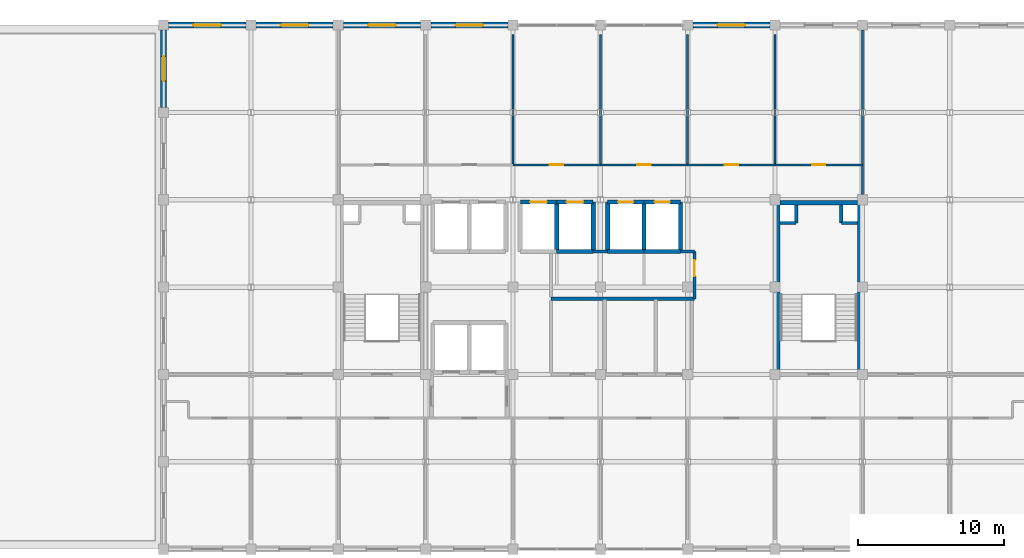
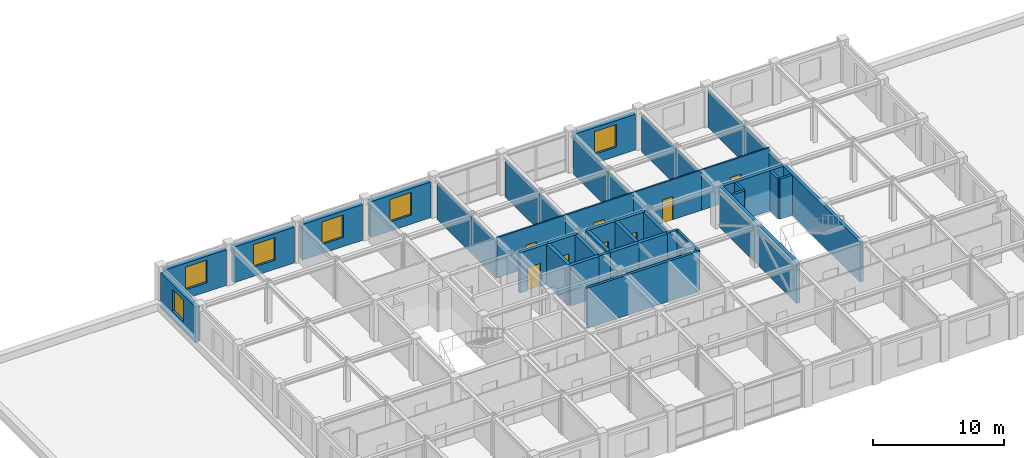
# One storey, part 10 of 13: 38 walls, 9 doors, 6 windows, 15 openings.
"""IFC4 building model written with IfcOpenShell, lengths in metres."""

from ifc_helpers import new_model, si_unit, direction, frame, frame_2d, origin, place, context, subcontext, project, spatial, rectangle, extrude, material, layer, layer_set, type_object, element, fill, save


model = new_model("IFC4")

# Units and contexts
model_context = context("Model", 3, precision=1e-05, world=origin(), true_north=direction((0.0, 1.0)))
body_context = subcontext(model_context, "Body", "Model", "MODEL_VIEW")
ifc_project = project(units=[si_unit("LENGTHUNIT", "METRE"), si_unit("AREAUNIT", "SQUARE_METRE"), si_unit("VOLUMEUNIT", "CUBIC_METRE"), si_unit("PLANEANGLEUNIT", "RADIAN"), si_unit("MASSUNIT", "GRAM", prefix="KILO")], contexts=[model_context])

# Site, building, storey
site_placement = place(None, origin())
site = spatial("IfcSite", under=ifc_project, at=site_placement, CompositionType="ELEMENT")
building_placement = place(site_placement, origin())
building = spatial("IfcBuilding", under=site, at=building_placement, Name="Zlatovratsky Civic Hall", CompositionType="ELEMENT")
storey_placement = place(building_placement, frame((0.0, 0.0, 24.89990234375)))
storey = spatial("IfcBuildingStorey", under=building, at=storey_placement, Name="L06", CompositionType="ELEMENT", Elevation=24.89990234375)

# Wall, opening, door
ifc_material_1 = material(Name="Fire-rated gypsum board framing", Category="gypsum")
ifc_layer_1 = layer(ifc_material_1, 0.139892578125)
ifc_layer_set_1 = layer_set([ifc_layer_1], Name="Fire-rated gypsum board framing")
wall_type_1 = type_object("IfcWallType", Name="Wall_OfficePartition_140", PredefinedType="PARTITIONING", material=ifc_layer_set_1)
wall_1_placement = place(storey_placement, frame((78.0, 98.39990234375, 0.0), z_axis=(0.0, 0.0, 1.0), x_axis=(1.0, 0.0, 0.0)))
wall_1 = element("IfcWall", 1, at=wall_1_placement, inside=storey, type_object=wall_type_1, Name="WL-6314", PredefinedType="PARTITIONING", context=body_context, shape_type="SweptSolid", body=[
    extrude(rectangle(XDim=6.0, YDim=0.139892578125, at=frame_2d((3.0, 0.0))), origin(), (0.0, 0.0, 1.0), 3.739990234375),
])
opening_1_placement = place(wall_1_placement, frame((2.5400390625, 0.0, 0.0)))
opening_1 = element("IfcOpeningElement", 2, at=opening_1_placement, cuts=wall_1, Name="Opening D-23", PredefinedType="OPENING", context=body_context, shape_type="SweptSolid", body=[
    extrude(rectangle(XDim=0.919921875, YDim=2.14990234375, at=frame_2d((0.4599609375, 1.074951171875))), frame((0.0, 0.0849609375, 0.0), z_axis=(0.0, -1.0, 0.0), x_axis=(1.0, 0.0, 0.0)), (0.0, 0.0, 1.0), 0.169677734375),
])
ifc_material_2 = material(Name="Solid oak joinery in steel frame", Category="steel")
door_type_1 = type_object("IfcDoorType", Name="Door_OfficeStandard_920x2150", OperationType="NOTDEFINED", PredefinedType="DOOR", material=ifc_material_2)
door_1_placement = place(opening_1_placement, origin())
door_1 = element("IfcDoor", 3, at=door_1_placement, inside=storey, type_object=door_type_1, Name="DR-5371", OperationType="SINGLE_SWING_RIGHT", OverallHeight=2.14990234375, OverallWidth=0.919921875, PredefinedType="DOOR", context=body_context, shape_type="SweptSolid", body=[
    extrude(rectangle(XDim=0.919921875, YDim=2.14990234375, at=frame_2d((0.4599609375, 1.074951171875))), frame((0.0, 0.02490234375, 0.0), z_axis=(0.0, -1.0, 0.0), x_axis=(1.0, 0.0, 0.0)), (0.0, 0.0, 1.0), 0.050048828125),
])
fill(opening_1, door_1)

wall_2_placement = place(storey_placement, frame((84.0, 98.39990234375, 0.0), z_axis=(0.0, 0.0, 1.0), x_axis=(1.0, 0.0, 0.0)))
wall_2 = element("IfcWall", 4, at=wall_2_placement, inside=storey, type_object=wall_type_1, Name="WL-6315", PredefinedType="PARTITIONING", context=body_context, shape_type="SweptSolid", body=[
    extrude(rectangle(XDim=6.0, YDim=0.139892578125, at=frame_2d((3.0, 0.0))), origin(), (0.0, 0.0, 1.0), 3.739990234375),
])
opening_2_placement = place(wall_2_placement, frame((2.5400390625, 0.0, 0.0)))
opening_2 = element("IfcOpeningElement", 5, at=opening_2_placement, cuts=wall_2, Name="Opening D-23", PredefinedType="OPENING", context=body_context, shape_type="SweptSolid", body=[
    extrude(rectangle(XDim=0.919921875, YDim=2.14990234375, at=frame_2d((0.4599609375, 1.074951171875))), frame((0.0, 0.0849609375, 0.0), z_axis=(0.0, -1.0, 0.0), x_axis=(1.0, 0.0, 0.0)), (0.0, 0.0, 1.0), 0.169677734375),
])
door_2_placement = place(opening_2_placement, origin())
door_2 = element("IfcDoor", 6, at=door_2_placement, inside=storey, type_object=door_type_1, Name="DR-5372", OperationType="SINGLE_SWING_RIGHT", OverallHeight=2.14990234375, OverallWidth=0.919921875, PredefinedType="DOOR", context=body_context, shape_type="SweptSolid", body=[
    extrude(rectangle(XDim=0.919921875, YDim=2.14990234375, at=frame_2d((0.4599609375, 1.074951171875))), frame((0.0, 0.02490234375, 0.0), z_axis=(0.0, -1.0, 0.0), x_axis=(1.0, 0.0, 0.0)), (0.0, 0.0, 1.0), 0.050048828125),
])
fill(opening_2, door_2)

wall_3_placement = place(storey_placement, frame((90.0, 98.39990234375, 0.0), z_axis=(0.0, 0.0, 1.0), x_axis=(1.0, 0.0, 0.0)))
wall_3 = element("IfcWall", 7, at=wall_3_placement, inside=storey, type_object=wall_type_1, Name="WL-6316", PredefinedType="PARTITIONING", context=body_context, shape_type="SweptSolid", body=[
    extrude(rectangle(XDim=6.0, YDim=0.139892578125, at=frame_2d((3.0, 0.0))), origin(), (0.0, 0.0, 1.0), 3.739990234375),
])
opening_3_placement = place(wall_3_placement, frame((2.5400390625, 0.0, 0.0)))
opening_3 = element("IfcOpeningElement", 8, at=opening_3_placement, cuts=wall_3, Name="Opening D-23", PredefinedType="OPENING", context=body_context, shape_type="SweptSolid", body=[
    extrude(rectangle(XDim=0.919921875, YDim=2.14990234375, at=frame_2d((0.4599609375, 1.074951171875))), frame((0.0, 0.0849609375, 0.0), z_axis=(0.0, -1.0, 0.0), x_axis=(1.0, 0.0, 0.0)), (0.0, 0.0, 1.0), 0.169677734375),
])
door_3_placement = place(opening_3_placement, origin())
door_3 = element("IfcDoor", 9, at=door_3_placement, inside=storey, type_object=door_type_1, Name="DR-5373", OperationType="SINGLE_SWING_RIGHT", OverallHeight=2.14990234375, OverallWidth=0.919921875, PredefinedType="DOOR", context=body_context, shape_type="SweptSolid", body=[
    extrude(rectangle(XDim=0.919921875, YDim=2.14990234375, at=frame_2d((0.4599609375, 1.074951171875))), frame((0.0, 0.02490234375, 0.0), z_axis=(0.0, -1.0, 0.0), x_axis=(1.0, 0.0, 0.0)), (0.0, 0.0, 1.0), 0.050048828125),
])
fill(opening_3, door_3)

wall_4_placement = place(storey_placement, frame((96.0, 98.39990234375, 0.0), z_axis=(0.0, 0.0, 1.0), x_axis=(1.0, 0.0, 0.0)))
wall_4 = element("IfcWall", 10, at=wall_4_placement, inside=storey, type_object=wall_type_1, Name="WL-6317", PredefinedType="PARTITIONING", context=body_context, shape_type="SweptSolid", body=[
    extrude(rectangle(XDim=6.0, YDim=0.139892578125, at=frame_2d((3.0, 0.0))), origin(), (0.0, 0.0, 1.0), 3.739990234375),
])
opening_4_placement = place(wall_4_placement, frame((2.5400390625, 0.0, 0.0)))
opening_4 = element("IfcOpeningElement", 11, at=opening_4_placement, cuts=wall_4, Name="Opening D-23", PredefinedType="OPENING", context=body_context, shape_type="SweptSolid", body=[
    extrude(rectangle(XDim=0.919921875, YDim=2.14990234375, at=frame_2d((0.4599609375, 1.074951171875))), frame((0.0, 0.0849609375, 0.0), z_axis=(0.0, -1.0, 0.0), x_axis=(1.0, 0.0, 0.0)), (0.0, 0.0, 1.0), 0.169677734375),
])
door_4_placement = place(opening_4_placement, origin())
door_4 = element("IfcDoor", 12, at=door_4_placement, inside=storey, type_object=door_type_1, Name="DR-5374", OperationType="SINGLE_SWING_RIGHT", OverallHeight=2.14990234375, OverallWidth=0.919921875, PredefinedType="DOOR", context=body_context, shape_type="SweptSolid", body=[
    extrude(rectangle(XDim=0.919921875, YDim=2.14990234375, at=frame_2d((0.4599609375, 1.074951171875))), frame((0.0, 0.02490234375, 0.0), z_axis=(0.0, -1.0, 0.0), x_axis=(1.0, 0.0, 0.0)), (0.0, 0.0, 1.0), 0.050048828125),
])
fill(opening_4, door_4)

# Walls
for number, where, z_axis, x_axis, name in (
    (13, (78.0, 98.39990234375, 0.0), (0.0, 0.0, 1.0), (0.0, 1.0, 0.0), "WL-6330"),
    (14, (84.0, 98.39990234375, 0.0), (0.0, 0.0, 1.0), (0.0, 1.0, 0.0), "WL-6331"),
    (15, (90.0, 98.39990234375, 0.0), (0.0, 0.0, 1.0), (0.0, 1.0, 0.0), "WL-6332"),
    (16, (96.0, 98.39990234375, 0.0), (0.0, 0.0, 1.0), (0.0, 1.0, 0.0), "WL-6333"),
):
    element("IfcWall", number, at=place(storey_placement, frame(where, z_axis=z_axis, x_axis=x_axis)), inside=storey, type_object=wall_type_1, Name=name, PredefinedType="PARTITIONING", context=body_context, shape_type="SweptSolid", body=[
        extrude(rectangle(XDim=8.9501953125, YDim=0.139892578125, at=frame_2d((4.47509765625, 0.0))), origin(), (0.0, 0.0, 1.0), 3.35205078125),
    ])
wall_5_placement = place(storey_placement, frame((102.0, 96.35009765625, 0.0), z_axis=(0.0, 0.0, 1.0), x_axis=(0.0, 1.0, 0.0)))
element("IfcWall", 17, at=wall_5_placement, inside=storey, type_object=wall_type_1, Name="WL-6344", PredefinedType="PARTITIONING", context=body_context, shape_type="SweptSolid", body=[
    extrude(rectangle(XDim=11.2998046875, YDim=0.139892578125, at=frame_2d((5.64990234375, 0.0))), origin(), (0.0, 0.0, 1.0), 3.35205078125),
])
ifc_material_3 = material(Name="Acoustic ceramic blockwork", Category="masonry")
ifc_layer_2 = layer(ifc_material_3, 0.219970703125)
ifc_layer_set_2 = layer_set([ifc_layer_2], Name="Acoustic ceramic blockwork")
wall_type_2 = type_object("IfcWallType", Name="Wall_SanitaryWetCore_220", PredefinedType="PARTITIONING", material=ifc_layer_set_2)
wall_6_placement = place(storey_placement, frame((97.449951171875, 94.39990234375, 0.0), z_axis=(0.0, 0.0, 1.0), x_axis=(0.0, 1.0, 0.0)))
element("IfcWall", 18, at=wall_6_placement, inside=storey, type_object=wall_type_2, Name="WL-5211", PredefinedType="PARTITIONING", context=body_context, shape_type="SweptSolid", body=[
    extrude(rectangle(XDim=1.25, YDim=0.219970703125, at=frame_2d((0.625, 0.0))), origin(), (0.0, 0.0, 1.0), 3.739990234375),
])
wall_7_placement = place(storey_placement, frame((96.35009765625, 94.39990234375, 0.0), z_axis=(0.0, 0.0, 1.0), x_axis=(1.0, 0.0, 0.0)))
element("IfcWall", 19, at=wall_7_placement, inside=storey, type_object=wall_type_2, Name="WL-5212", PredefinedType="PARTITIONING", context=body_context, shape_type="SweptSolid", body=[
    extrude(rectangle(XDim=1.099853515625, YDim=0.219970703125, at=frame_2d((0.5498046875, 0.0))), origin(), (0.0, 0.0, 1.0), 3.739990234375),
])
wall_8_placement = place(storey_placement, frame((100.550048828125, 94.39990234375, 0.0), z_axis=(0.0, 0.0, 1.0), x_axis=(0.0, 1.0, 0.0)))
element("IfcWall", 20, at=wall_8_placement, inside=storey, type_object=wall_type_2, Name="WL-5213", PredefinedType="PARTITIONING", context=body_context, shape_type="SweptSolid", body=[
    extrude(rectangle(XDim=1.25, YDim=0.219970703125, at=frame_2d((0.625, 0.0))), origin(), (0.0, 0.0, 1.0), 3.739990234375),
])
wall_9_placement = place(storey_placement, frame((100.550048828125, 94.39990234375, 0.0), z_axis=(0.0, 0.0, 1.0), x_axis=(1.0, 0.0, 0.0)))
element("IfcWall", 21, at=wall_9_placement, inside=storey, type_object=wall_type_2, Name="WL-5214", PredefinedType="PARTITIONING", context=body_context, shape_type="SweptSolid", body=[
    extrude(rectangle(XDim=1.099853515625, YDim=0.219970703125, at=frame_2d((0.5498046875, 0.0))), origin(), (0.0, 0.0, 1.0), 3.739990234375),
])
wall_10_placement = place(storey_placement, frame((80.60009765625, 89.199951171875, 0.0), z_axis=(0.0, 0.0, 1.0), x_axis=(1.0, 0.0, 0.0)))
element("IfcWall", 22, at=wall_10_placement, inside=storey, type_object=wall_type_2, Name="WL-6300", PredefinedType="PARTITIONING", context=body_context, shape_type="SweptSolid", body=[
    extrude(rectangle(XDim=9.869873046875, YDim=0.219970703125, at=frame_2d((4.93505859375, 0.0))), origin(), (0.0, 0.0, 1.0), 3.739990234375),
])

# Wall, opening, door
wall_11_placement = place(storey_placement, frame((90.469970703125, 89.199951171875, 0.0), z_axis=(0.0, 0.0, 1.0), x_axis=(0.0, 1.0, 0.0)))
wall_11 = element("IfcWall", 23, at=wall_11_placement, inside=storey, type_object=wall_type_2, Name="WL-6301", PredefinedType="PARTITIONING", context=body_context, shape_type="SweptSolid", body=[
    extrude(rectangle(XDim=3.25, YDim=0.219970703125, at=frame_2d((1.625, 0.0))), origin(), (0.0, 0.0, 1.0), 3.739990234375),
])
opening_5_placement = place(wall_11_placement, frame((1.550048828125, 0.0, 0.0)))
opening_5 = element("IfcOpeningElement", 24, at=opening_5_placement, cuts=wall_11, Name="Opening D-30", PredefinedType="OPENING", context=body_context, shape_type="SweptSolid", body=[
    extrude(rectangle(XDim=1.10009765625, YDim=2.14990234375, at=frame_2d((0.550048828125, 1.074951171875))), frame((0.0, 0.125, 0.0), z_axis=(0.0, -1.0, 0.0), x_axis=(1.0, 0.0, 0.0)), (0.0, 0.0, 1.0), 0.249755859375),
])
ifc_material_4 = material(Name="Insulated painted fire-rated steel leaf", Category="steel")
door_type_2 = type_object("IfcDoorType", Name="Door_ElectricalRoom_1100x2150", OperationType="NOTDEFINED", PredefinedType="DOOR", material=ifc_material_4)
door_5_placement = place(opening_5_placement, origin())
door_5 = element("IfcDoor", 25, at=door_5_placement, inside=storey, type_object=door_type_2, Name="DR-5358", OperationType="SINGLE_SWING_RIGHT", OverallHeight=2.14990234375, OverallWidth=1.10009765625, PredefinedType="DOOR", context=body_context, shape_type="SweptSolid", body=[
    extrude(rectangle(XDim=1.10009765625, YDim=2.14990234375, at=frame_2d((0.550048828125, 1.074951171875))), frame((0.0, 0.02490234375, 0.0), z_axis=(0.0, -1.0, 0.0), x_axis=(1.0, 0.0, 0.0)), (0.0, 0.0, 1.0), 0.050048828125),
])
fill(opening_5, door_5)

# Walls
wall_12_placement = place(storey_placement, frame((83.5, 92.449951171875, 0.0), z_axis=(0.0, 0.0, 1.0), x_axis=(1.0, 0.0, 0.0)))
element("IfcWall", 26, at=wall_12_placement, inside=storey, type_object=wall_type_2, Name="WL-6337", PredefinedType="PARTITIONING", context=body_context, shape_type="SweptSolid", body=[
    extrude(rectangle(XDim=1.0, YDim=0.219970703125, at=frame_2d((0.5, 0.0))), origin(), (0.0, 0.0, 1.0), 3.739990234375),
])
wall_13_placement = place(storey_placement, frame((89.5, 92.449951171875, 0.0), z_axis=(0.0, 0.0, 1.0), x_axis=(1.0, 0.0, 0.0)))
element("IfcWall", 27, at=wall_13_placement, inside=storey, type_object=wall_type_2, Name="WL-6338", PredefinedType="PARTITIONING", context=body_context, shape_type="SweptSolid", body=[
    extrude(rectangle(XDim=0.969970703125, YDim=0.219970703125, at=frame_2d((0.48486328125, 0.0))), origin(), (0.0, 0.0, 1.0), 3.739990234375),
])
ifc_material_5 = material(Name="Concrete C35/45 (B40)", Category="concrete")
ifc_layer_3 = layer(ifc_material_5, 0.300048828125)
ifc_layer_set_3 = layer_set([ifc_layer_3], Name="Concrete C35/45 (B40)")
wall_type_3 = type_object("IfcWallType", Name="Wall_StairAndLiftShaft_300", PredefinedType="SHEAR", material=ifc_layer_set_3)
wall_14_placement = place(storey_placement, frame((96.35009765625, 95.800048828125, 0.0), z_axis=(0.0, 0.0, 1.0), x_axis=(1.0, 0.0, 0.0)))
element("IfcWall", 28, at=wall_14_placement, inside=storey, type_object=wall_type_3, Name="WL-5208", PredefinedType="SHEAR", context=body_context, shape_type="SweptSolid", body=[
    extrude(rectangle(XDim=5.2998046875, YDim=0.300048828125, at=frame_2d((2.64990234375, 0.0))), origin(), (0.0, 0.0, 1.0), 3.739990234375),
])
for number, where, z_axis, x_axis, name in (
    (29, (96.199951171875, 84.0, 0.0), (0.0, 0.0, 1.0), (0.0, 1.0, 0.0), "WL-5209"),
    (30, (101.800048828125, 84.0, 0.0), (0.0, 0.0, 1.0), (0.0, 1.0, 0.0), "WL-5210"),
):
    element("IfcWall", number, at=place(storey_placement, frame(where, z_axis=z_axis, x_axis=x_axis)), inside=storey, type_object=wall_type_3, Name=name, PredefinedType="SHEAR", context=body_context, shape_type="SweptSolid", body=[
        extrude(rectangle(XDim=11.800048828125, YDim=0.300048828125, at=frame_2d((5.89990234375, 0.0))), origin(), (0.0, 0.0, 1.0), 3.739990234375),
    ])

# Wall, opening, door
wall_15_placement = place(storey_placement, frame((78.5, 95.85009765625, 0.0), z_axis=(0.0, 0.0, 1.0), x_axis=(1.0, 0.0, 0.0)))
wall_15 = element("IfcWall", 31, at=wall_15_placement, inside=storey, type_object=wall_type_3, Name="WL-5777", PredefinedType="SHEAR", context=body_context, shape_type="SweptSolid", body=[
    extrude(rectangle(XDim=2.5, YDim=0.300048828125, at=frame_2d((1.25, 0.0))), origin(), (0.0, 0.0, 1.0), 3.739990234375),
])
opening_6_placement = place(wall_15_placement, frame((0.675048828125, 0.0, 0.0)))
opening_6 = element("IfcOpeningElement", 32, at=opening_6_placement, cuts=wall_15, Name="Opening LD-02", PredefinedType="OPENING", context=body_context, shape_type="SweptSolid", body=[
    extrude(rectangle(XDim=1.14990234375, YDim=2.14990234375, at=frame_2d((0.574951171875, 1.074951171875))), frame((0.0, 0.1650390625, 0.0), z_axis=(0.0, -1.0, 0.0), x_axis=(1.0, 0.0, 0.0)), (0.0, 0.0, 1.0), 0.329833984375),
])
ifc_material_6 = material(Name="Brushed stainless steel AISI 304", Category="steel")
door_type_3 = type_object("IfcDoorType", Name="Door_LiftLandingHighRise_1150x2150", OperationType="DOUBLE_DOOR_SLIDING", PredefinedType="DOOR", material=ifc_material_6)
door_6_placement = place(opening_6_placement, origin())
door_6 = element("IfcDoor", 33, at=door_6_placement, inside=storey, type_object=door_type_3, Name="Lift landing door LD-5141", OperationType="DOUBLE_DOOR_SLIDING", OverallHeight=2.14990234375, OverallWidth=1.14990234375, PredefinedType="DOOR", context=body_context, shape_type="SweptSolid", body=[
    extrude(rectangle(XDim=1.14990234375, YDim=2.14990234375, at=frame_2d((0.574951171875, 1.074951171875))), frame((0.0, 0.02490234375, 0.0), z_axis=(0.0, -1.0, 0.0), x_axis=(1.0, 0.0, 0.0)), (0.0, 0.0, 1.0), 0.050048828125),
])
fill(opening_6, door_6)

wall_16_placement = place(storey_placement, frame((81.0, 95.85009765625, 0.0), z_axis=(0.0, 0.0, 1.0), x_axis=(1.0, 0.0, 0.0)))
wall_16 = element("IfcWall", 34, at=wall_16_placement, inside=storey, type_object=wall_type_3, Name="WL-5840", PredefinedType="SHEAR", context=body_context, shape_type="SweptSolid", body=[
    extrude(rectangle(XDim=2.5, YDim=0.300048828125, at=frame_2d((1.25, 0.0))), origin(), (0.0, 0.0, 1.0), 3.739990234375),
])
opening_7_placement = place(wall_16_placement, frame((0.675048828125, 0.0, 0.0)))
opening_7 = element("IfcOpeningElement", 35, at=opening_7_placement, cuts=wall_16, Name="Opening LD-02", PredefinedType="OPENING", context=body_context, shape_type="SweptSolid", body=[
    extrude(rectangle(XDim=1.14990234375, YDim=2.14990234375, at=frame_2d((0.574951171875, 1.074951171875))), frame((0.0, 0.1650390625, 0.0), z_axis=(0.0, -1.0, 0.0), x_axis=(1.0, 0.0, 0.0)), (0.0, 0.0, 1.0), 0.329833984375),
])
door_7_placement = place(opening_7_placement, origin())
door_7 = element("IfcDoor", 36, at=door_7_placement, inside=storey, type_object=door_type_3, Name="Lift landing door LD-5160", OperationType="DOUBLE_DOOR_SLIDING", OverallHeight=2.14990234375, OverallWidth=1.14990234375, PredefinedType="DOOR", context=body_context, shape_type="SweptSolid", body=[
    extrude(rectangle(XDim=1.14990234375, YDim=2.14990234375, at=frame_2d((0.574951171875, 1.074951171875))), frame((0.0, 0.02490234375, 0.0), z_axis=(0.0, -1.0, 0.0), x_axis=(1.0, 0.0, 0.0)), (0.0, 0.0, 1.0), 0.050048828125),
])
fill(opening_7, door_7)

# Walls
wall_17_placement = place(storey_placement, frame((81.0, 92.449951171875, 0.0), z_axis=(0.0, 0.0, 1.0), x_axis=(1.0, 0.0, 0.0)))
element("IfcWall", 37, at=wall_17_placement, inside=storey, type_object=wall_type_3, Name="WL-5841", PredefinedType="SHEAR", context=body_context, shape_type="SweptSolid", body=[
    extrude(rectangle(XDim=2.5, YDim=0.300048828125, at=frame_2d((1.25, 0.0))), origin(), (0.0, 0.0, 1.0), 3.739990234375),
])
for number, where, z_axis, x_axis, name in (
    (38, (81.0, 92.449951171875, 0.0), (0.0, 0.0, 1.0), (0.0, 1.0, 0.0), "WL-5842"),
    (39, (83.5, 92.449951171875, 0.0), (0.0, 0.0, 1.0), (0.0, 1.0, 0.0), "WL-5843"),
):
    element("IfcWall", number, at=place(storey_placement, frame(where, z_axis=z_axis, x_axis=x_axis)), inside=storey, type_object=wall_type_3, Name=name, PredefinedType="SHEAR", context=body_context, shape_type="SweptSolid", body=[
        extrude(rectangle(XDim=3.400146484375, YDim=0.300048828125, at=frame_2d((1.7001953125, 0.0))), origin(), (0.0, 0.0, 1.0), 3.739990234375),
    ])

# Wall, opening, door
wall_18_placement = place(storey_placement, frame((84.5, 95.85009765625, 0.0), z_axis=(0.0, 0.0, 1.0), x_axis=(1.0, 0.0, 0.0)))
wall_18 = element("IfcWall", 40, at=wall_18_placement, inside=storey, type_object=wall_type_3, Name="WL-5910", PredefinedType="SHEAR", context=body_context, shape_type="SweptSolid", body=[
    extrude(rectangle(XDim=2.5, YDim=0.300048828125, at=frame_2d((1.25, 0.0))), origin(), (0.0, 0.0, 1.0), 3.739990234375),
])
opening_8_placement = place(wall_18_placement, frame((0.72509765625, 0.0, 0.0)))
opening_8 = element("IfcOpeningElement", 41, at=opening_8_placement, cuts=wall_18, Name="Opening LD-03", PredefinedType="OPENING", context=body_context, shape_type="SweptSolid", body=[
    extrude(rectangle(XDim=1.050048828125, YDim=2.10009765625, at=frame_2d((0.52490234375, 1.050048828125))), frame((0.0, 0.1650390625, 0.0), z_axis=(0.0, -1.0, 0.0), x_axis=(1.0, 0.0, 0.0)), (0.0, 0.0, 1.0), 0.329833984375),
])
door_type_4 = type_object("IfcDoorType", Name="Door_LiftLandingMidRise_1050x2100", OperationType="DOUBLE_DOOR_SLIDING", PredefinedType="DOOR", material=ifc_material_6)
door_8_placement = place(opening_8_placement, origin())
door_8 = element("IfcDoor", 42, at=door_8_placement, inside=storey, type_object=door_type_4, Name="Lift landing door LD-5179", OperationType="DOUBLE_DOOR_SLIDING", OverallHeight=2.10009765625, OverallWidth=1.050048828125, PredefinedType="DOOR", context=body_context, shape_type="SweptSolid", body=[
    extrude(rectangle(XDim=1.050048828125, YDim=2.10009765625, at=frame_2d((0.52490234375, 1.050048828125))), frame((0.0, 0.02490234375, 0.0), z_axis=(0.0, -1.0, 0.0), x_axis=(1.0, 0.0, 0.0)), (0.0, 0.0, 1.0), 0.050048828125),
])
fill(opening_8, door_8)

# Walls
wall_19_placement = place(storey_placement, frame((84.5, 92.449951171875, 0.0), z_axis=(0.0, 0.0, 1.0), x_axis=(1.0, 0.0, 0.0)))
element("IfcWall", 43, at=wall_19_placement, inside=storey, type_object=wall_type_3, Name="WL-5911", PredefinedType="SHEAR", context=body_context, shape_type="SweptSolid", body=[
    extrude(rectangle(XDim=2.5, YDim=0.300048828125, at=frame_2d((1.25, 0.0))), origin(), (0.0, 0.0, 1.0), 3.739990234375),
])
wall_20_placement = place(storey_placement, frame((84.5, 92.449951171875, 0.0), z_axis=(0.0, 0.0, 1.0), x_axis=(0.0, 1.0, 0.0)))
element("IfcWall", 44, at=wall_20_placement, inside=storey, type_object=wall_type_3, Name="WL-5912", PredefinedType="SHEAR", context=body_context, shape_type="SweptSolid", body=[
    extrude(rectangle(XDim=3.400146484375, YDim=0.300048828125, at=frame_2d((1.7001953125, 0.0))), origin(), (0.0, 0.0, 1.0), 3.739990234375),
])

# Wall, opening, door
wall_21_placement = place(storey_placement, frame((87.0, 95.85009765625, 0.0), z_axis=(0.0, 0.0, 1.0), x_axis=(1.0, 0.0, 0.0)))
wall_21 = element("IfcWall", 45, at=wall_21_placement, inside=storey, type_object=wall_type_3, Name="WL-5949", PredefinedType="SHEAR", context=body_context, shape_type="SweptSolid", body=[
    extrude(rectangle(XDim=2.5, YDim=0.300048828125, at=frame_2d((1.25, 0.0))), origin(), (0.0, 0.0, 1.0), 3.739990234375),
])
opening_9_placement = place(wall_21_placement, frame((0.72509765625, 0.0, 0.0)))
opening_9 = element("IfcOpeningElement", 46, at=opening_9_placement, cuts=wall_21, Name="Opening LD-03", PredefinedType="OPENING", context=body_context, shape_type="SweptSolid", body=[
    extrude(rectangle(XDim=1.050048828125, YDim=2.10009765625, at=frame_2d((0.52490234375, 1.050048828125))), frame((0.0, 0.1650390625, 0.0), z_axis=(0.0, -1.0, 0.0), x_axis=(1.0, 0.0, 0.0)), (0.0, 0.0, 1.0), 0.329833984375),
])
door_9_placement = place(opening_9_placement, origin())
door_9 = element("IfcDoor", 47, at=door_9_placement, inside=storey, type_object=door_type_4, Name="Lift landing door LD-5190", OperationType="DOUBLE_DOOR_SLIDING", OverallHeight=2.10009765625, OverallWidth=1.050048828125, PredefinedType="DOOR", context=body_context, shape_type="SweptSolid", body=[
    extrude(rectangle(XDim=1.050048828125, YDim=2.10009765625, at=frame_2d((0.52490234375, 1.050048828125))), frame((0.0, 0.02490234375, 0.0), z_axis=(0.0, -1.0, 0.0), x_axis=(1.0, 0.0, 0.0)), (0.0, 0.0, 1.0), 0.050048828125),
])
fill(opening_9, door_9)

# Walls
wall_22_placement = place(storey_placement, frame((87.0, 92.449951171875, 0.0), z_axis=(0.0, 0.0, 1.0), x_axis=(1.0, 0.0, 0.0)))
element("IfcWall", 48, at=wall_22_placement, inside=storey, type_object=wall_type_3, Name="WL-5950", PredefinedType="SHEAR", context=body_context, shape_type="SweptSolid", body=[
    extrude(rectangle(XDim=2.5, YDim=0.300048828125, at=frame_2d((1.25, 0.0))), origin(), (0.0, 0.0, 1.0), 3.739990234375),
])
for number, where, z_axis, x_axis, name in (
    (49, (87.0, 92.449951171875, 0.0), (0.0, 0.0, 1.0), (0.0, 1.0, 0.0), "WL-5951"),
    (50, (89.5, 92.449951171875, 0.0), (0.0, 0.0, 1.0), (0.0, 1.0, 0.0), "WL-5952"),
):
    element("IfcWall", number, at=place(storey_placement, frame(where, z_axis=z_axis, x_axis=x_axis)), inside=storey, type_object=wall_type_3, Name=name, PredefinedType="SHEAR", context=body_context, shape_type="SweptSolid", body=[
        extrude(rectangle(XDim=3.400146484375, YDim=0.300048828125, at=frame_2d((1.7001953125, 0.0))), origin(), (0.0, 0.0, 1.0), 3.739990234375),
    ])

# Wall, opening, window
ifc_layer_4 = layer(ifc_material_3, 0.280029296875, Name="Backing")
ifc_material_7 = material(Name="Podolsk limestone ashlar", Category="masonry")
ifc_layer_5 = layer(ifc_material_7, 0.139892578125, Name="Finish")
ifc_layer_set_4 = layer_set([ifc_layer_4, ifc_layer_5], Name="Acoustic ceramic blockwork")
wall_type_4 = type_object("IfcWallType", Name="Wall_TowerLimestoneAshlar_420", PredefinedType="SOLIDWALL", material=ifc_layer_set_4)
wall_23_placement = place(storey_placement, frame((54.35009765625, 108.0, 0.0), z_axis=(0.0, 0.0, 1.0), x_axis=(1.0, 0.0, 0.0)))
wall_23 = element("IfcWall", 51, at=wall_23_placement, inside=storey, type_object=wall_type_4, Name="WL-0425", PredefinedType="SOLIDWALL", context=body_context, shape_type="SweptSolid", body=[
    extrude(rectangle(XDim=5.2998046875, YDim=0.419921875, at=frame_2d((2.64990234375, 0.0))), origin(), (0.0, 0.0, 1.0), 3.320068359375),
])
opening_10_placement = place(wall_23_placement, frame((1.699951171875, 0.0, 0.85009765625)))
opening_10 = element("IfcOpeningElement", 52, at=opening_10_placement, cuts=wall_23, Name="Opening WN-15", PredefinedType="OPENING", context=body_context, shape_type="SweptSolid", body=[
    extrude(rectangle(XDim=1.89990234375, YDim=2.10009765625, at=frame_2d((0.949951171875, 1.050048828125))), frame((0.0, 0.224853515625, 0.0), z_axis=(0.0, -1.0, 0.0), x_axis=(1.0, 0.0, 0.0)), (0.0, 0.0, 1.0), 0.44970703125),
])
ifc_material_8 = material(Name="Low-E laminated double glazing", Category="glass")
window_type_1 = type_object("IfcWindowType", Name="Window_TowerTier1North_1900x2100", PartitioningType="SINGLE_PANEL", PredefinedType="WINDOW", material=ifc_material_8)
window_1_placement = place(opening_10_placement, origin())
window_1 = element("IfcWindow", 53, at=window_1_placement, inside=storey, type_object=window_type_1, Name="WN-0329", OverallHeight=2.10009765625, OverallWidth=1.89990234375, PartitioningType="SINGLE_PANEL", PredefinedType="WINDOW", context=body_context, shape_type="SweptSolid", body=[
    extrude(rectangle(XDim=1.89990234375, YDim=2.10009765625, at=frame_2d((0.949951171875, 1.050048828125))), frame((0.0, 0.030029296875, 0.0), z_axis=(0.0, -1.0, 0.0), x_axis=(1.0, 0.0, 0.0)), (0.0, 0.0, 1.0), 0.06005859375),
])
fill(opening_10, window_1)

wall_24_placement = place(storey_placement, frame((60.35009765625, 108.0, 0.0), z_axis=(0.0, 0.0, 1.0), x_axis=(1.0, 0.0, 0.0)))
wall_24 = element("IfcWall", 54, at=wall_24_placement, inside=storey, type_object=wall_type_4, Name="WL-0426", PredefinedType="SOLIDWALL", context=body_context, shape_type="SweptSolid", body=[
    extrude(rectangle(XDim=5.2998046875, YDim=0.419921875, at=frame_2d((2.64990234375, 0.0))), origin(), (0.0, 0.0, 1.0), 3.320068359375),
])
opening_11_placement = place(wall_24_placement, frame((1.699951171875, 0.0, 0.85009765625)))
opening_11 = element("IfcOpeningElement", 55, at=opening_11_placement, cuts=wall_24, Name="Opening WN-15", PredefinedType="OPENING", context=body_context, shape_type="SweptSolid", body=[
    extrude(rectangle(XDim=1.89990234375, YDim=2.10009765625, at=frame_2d((0.949951171875, 1.050048828125))), frame((0.0, 0.224853515625, 0.0), z_axis=(0.0, -1.0, 0.0), x_axis=(1.0, 0.0, 0.0)), (0.0, 0.0, 1.0), 0.44970703125),
])
window_2_placement = place(opening_11_placement, origin())
window_2 = element("IfcWindow", 56, at=window_2_placement, inside=storey, type_object=window_type_1, Name="WN-0330", OverallHeight=2.10009765625, OverallWidth=1.89990234375, PartitioningType="SINGLE_PANEL", PredefinedType="WINDOW", context=body_context, shape_type="SweptSolid", body=[
    extrude(rectangle(XDim=1.89990234375, YDim=2.10009765625, at=frame_2d((0.949951171875, 1.050048828125))), frame((0.0, 0.030029296875, 0.0), z_axis=(0.0, -1.0, 0.0), x_axis=(1.0, 0.0, 0.0)), (0.0, 0.0, 1.0), 0.06005859375),
])
fill(opening_11, window_2)

wall_25_placement = place(storey_placement, frame((66.35009765625, 108.0, 0.0), z_axis=(0.0, 0.0, 1.0), x_axis=(1.0, 0.0, 0.0)))
wall_25 = element("IfcWall", 57, at=wall_25_placement, inside=storey, type_object=wall_type_4, Name="WL-0427", PredefinedType="SOLIDWALL", context=body_context, shape_type="SweptSolid", body=[
    extrude(rectangle(XDim=5.2998046875, YDim=0.419921875, at=frame_2d((2.64990234375, 0.0))), origin(), (0.0, 0.0, 1.0), 3.320068359375),
])
opening_12_placement = place(wall_25_placement, frame((1.699951171875, 0.0, 0.85009765625)))
opening_12 = element("IfcOpeningElement", 58, at=opening_12_placement, cuts=wall_25, Name="Opening WN-15", PredefinedType="OPENING", context=body_context, shape_type="SweptSolid", body=[
    extrude(rectangle(XDim=1.89990234375, YDim=2.10009765625, at=frame_2d((0.949951171875, 1.050048828125))), frame((0.0, 0.224853515625, 0.0), z_axis=(0.0, -1.0, 0.0), x_axis=(1.0, 0.0, 0.0)), (0.0, 0.0, 1.0), 0.44970703125),
])
window_3_placement = place(opening_12_placement, origin())
window_3 = element("IfcWindow", 59, at=window_3_placement, inside=storey, type_object=window_type_1, Name="WN-0331", OverallHeight=2.10009765625, OverallWidth=1.89990234375, PartitioningType="SINGLE_PANEL", PredefinedType="WINDOW", context=body_context, shape_type="SweptSolid", body=[
    extrude(rectangle(XDim=1.89990234375, YDim=2.10009765625, at=frame_2d((0.949951171875, 1.050048828125))), frame((0.0, 0.030029296875, 0.0), z_axis=(0.0, -1.0, 0.0), x_axis=(1.0, 0.0, 0.0)), (0.0, 0.0, 1.0), 0.06005859375),
])
fill(opening_12, window_3)

wall_26_placement = place(storey_placement, frame((72.35009765625, 108.0, 0.0), z_axis=(0.0, 0.0, 1.0), x_axis=(1.0, 0.0, 0.0)))
wall_26 = element("IfcWall", 60, at=wall_26_placement, inside=storey, type_object=wall_type_4, Name="WL-0428", PredefinedType="SOLIDWALL", context=body_context, shape_type="SweptSolid", body=[
    extrude(rectangle(XDim=5.2998046875, YDim=0.419921875, at=frame_2d((2.64990234375, 0.0))), origin(), (0.0, 0.0, 1.0), 3.320068359375),
])
opening_13_placement = place(wall_26_placement, frame((1.699951171875, 0.0, 0.85009765625)))
opening_13 = element("IfcOpeningElement", 61, at=opening_13_placement, cuts=wall_26, Name="Opening WN-15", PredefinedType="OPENING", context=body_context, shape_type="SweptSolid", body=[
    extrude(rectangle(XDim=1.89990234375, YDim=2.10009765625, at=frame_2d((0.949951171875, 1.050048828125))), frame((0.0, 0.224853515625, 0.0), z_axis=(0.0, -1.0, 0.0), x_axis=(1.0, 0.0, 0.0)), (0.0, 0.0, 1.0), 0.44970703125),
])
window_4_placement = place(opening_13_placement, origin())
window_4 = element("IfcWindow", 62, at=window_4_placement, inside=storey, type_object=window_type_1, Name="WN-0332", OverallHeight=2.10009765625, OverallWidth=1.89990234375, PartitioningType="SINGLE_PANEL", PredefinedType="WINDOW", context=body_context, shape_type="SweptSolid", body=[
    extrude(rectangle(XDim=1.89990234375, YDim=2.10009765625, at=frame_2d((0.949951171875, 1.050048828125))), frame((0.0, 0.030029296875, 0.0), z_axis=(0.0, -1.0, 0.0), x_axis=(1.0, 0.0, 0.0)), (0.0, 0.0, 1.0), 0.06005859375),
])
fill(opening_13, window_4)

wall_27_placement = place(storey_placement, frame((90.35009765625, 108.0, 0.0), z_axis=(0.0, 0.0, 1.0), x_axis=(1.0, 0.0, 0.0)))
wall_27 = element("IfcWall", 63, at=wall_27_placement, inside=storey, type_object=wall_type_4, Name="WL-0429", PredefinedType="SOLIDWALL", context=body_context, shape_type="SweptSolid", body=[
    extrude(rectangle(XDim=5.2998046875, YDim=0.419921875, at=frame_2d((2.64990234375, 0.0))), origin(), (0.0, 0.0, 1.0), 3.320068359375),
])
opening_14_placement = place(wall_27_placement, frame((1.699951171875, 0.0, 0.85009765625)))
opening_14 = element("IfcOpeningElement", 64, at=opening_14_placement, cuts=wall_27, Name="Opening WN-15", PredefinedType="OPENING", context=body_context, shape_type="SweptSolid", body=[
    extrude(rectangle(XDim=1.89990234375, YDim=2.10009765625, at=frame_2d((0.949951171875, 1.050048828125))), frame((0.0, 0.224853515625, 0.0), z_axis=(0.0, -1.0, 0.0), x_axis=(1.0, 0.0, 0.0)), (0.0, 0.0, 1.0), 0.44970703125),
])
window_5_placement = place(opening_14_placement, origin())
window_5 = element("IfcWindow", 65, at=window_5_placement, inside=storey, type_object=window_type_1, Name="WN-0333", OverallHeight=2.10009765625, OverallWidth=1.89990234375, PartitioningType="SINGLE_PANEL", PredefinedType="WINDOW", context=body_context, shape_type="SweptSolid", body=[
    extrude(rectangle(XDim=1.89990234375, YDim=2.10009765625, at=frame_2d((0.949951171875, 1.050048828125))), frame((0.0, 0.030029296875, 0.0), z_axis=(0.0, -1.0, 0.0), x_axis=(1.0, 0.0, 0.0)), (0.0, 0.0, 1.0), 0.06005859375),
])
fill(opening_14, window_5)

wall_28_placement = place(storey_placement, frame((54.0, 102.35009765625, 0.0), z_axis=(0.0, 0.0, 1.0), x_axis=(0.0, 1.0, 0.0)))
wall_28 = element("IfcWall", 66, at=wall_28_placement, inside=storey, type_object=wall_type_4, Name="WL-0438", PredefinedType="SOLIDWALL", context=body_context, shape_type="SweptSolid", body=[
    extrude(rectangle(XDim=5.2998046875, YDim=0.419921875, at=frame_2d((2.64990234375, 0.0))), origin(), (0.0, 0.0, 1.0), 3.320068359375),
])
opening_15_placement = place(wall_28_placement, frame((1.800048828125, 0.0, 0.85009765625)))
opening_15 = element("IfcOpeningElement", 67, at=opening_15_placement, cuts=wall_28, Name="Opening WN-16", PredefinedType="OPENING", context=body_context, shape_type="SweptSolid", body=[
    extrude(rectangle(XDim=1.699951171875, YDim=2.050048828125, at=frame_2d((0.85009765625, 1.02490234375))), frame((0.0, 0.224853515625, 0.0), z_axis=(0.0, -1.0, 0.0), x_axis=(1.0, 0.0, 0.0)), (0.0, 0.0, 1.0), 0.44970703125),
])
window_type_2 = type_object("IfcWindowType", Name="Window_TowerTier1Flank_1700x2050", PartitioningType="SINGLE_PANEL", PredefinedType="WINDOW", material=ifc_material_8)
window_6_placement = place(opening_15_placement, origin())
window_6 = element("IfcWindow", 68, at=window_6_placement, inside=storey, type_object=window_type_2, Name="WN-0342", OverallHeight=2.050048828125, OverallWidth=1.699951171875, PartitioningType="SINGLE_PANEL", PredefinedType="WINDOW", context=body_context, shape_type="SweptSolid", body=[
    extrude(rectangle(XDim=1.699951171875, YDim=2.050048828125, at=frame_2d((0.85009765625, 1.02490234375))), frame((0.0, 0.030029296875, 0.0), z_axis=(0.0, -1.0, 0.0), x_axis=(1.0, 0.0, 0.0)), (0.0, 0.0, 1.0), 0.06005859375),
])
fill(opening_15, window_6)

save(model, "model.ifc")
